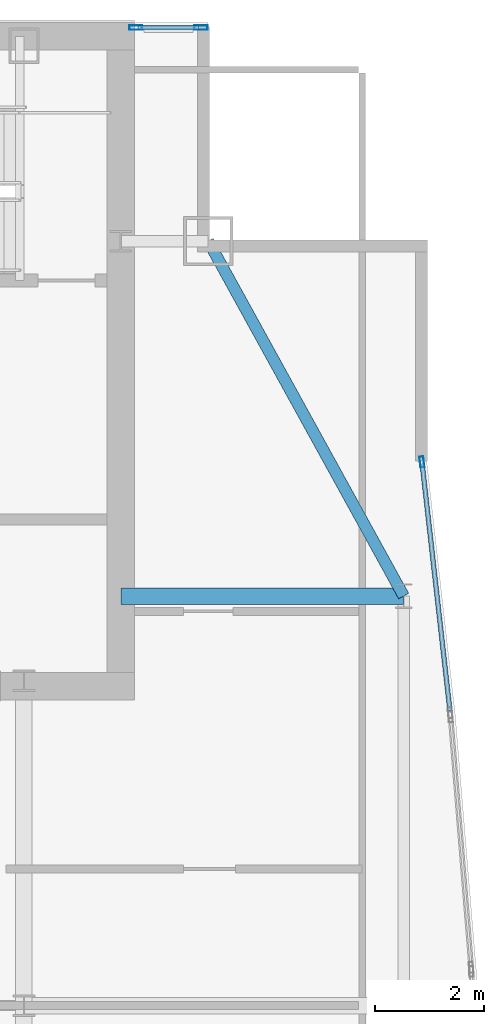
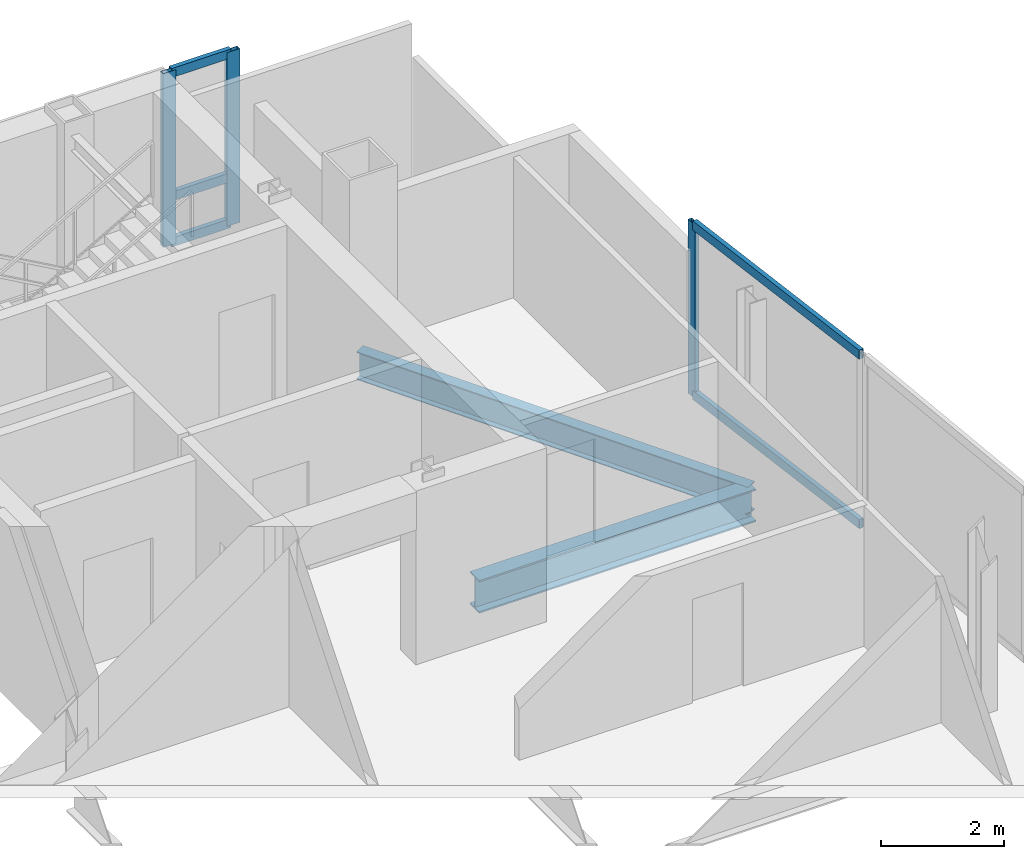
# One storey, part 18 of 25: 8 members, 2 beams, 2 elements without a shape of their own.
"""IFC4 building model written with IfcOpenShell, lengths in metres."""

from ifc_helpers import new_model, si_unit, direction, frame, origin, origin_2d, place, context, subcontext, project, spatial, hollow_rectangle, i_section, extrude, material, material_profile, profile_set, type_object, element, aggregate, save


model = new_model("IFC4")

# Units and contexts
model_context = context("Model", 3, precision=1e-05, world=origin(), true_north=direction((0.0, 1.0)))
body_context = subcontext(model_context, "Body", "Model", "MODEL_VIEW")
ifc_project = project(units=[si_unit("LENGTHUNIT", "METRE"), si_unit("AREAUNIT", "SQUARE_METRE"), si_unit("VOLUMEUNIT", "CUBIC_METRE"), si_unit("PLANEANGLEUNIT", "RADIAN"), si_unit("MASSUNIT", "GRAM", prefix="KILO")], contexts=[model_context])

# Site, building, storey
site_placement = place(None, origin())
site = spatial("IfcSite", under=ifc_project, at=site_placement, CompositionType="ELEMENT")
building_placement = place(site_placement, origin())
building = spatial("IfcBuilding", under=site, at=building_placement, Name="Khoronbel Lancet Exchange", CompositionType="ELEMENT")
storey_placement = place(building_placement, frame((0.0, 0.0, 295.0)))
storey = spatial("IfcBuildingStorey", under=building, at=storey_placement, Name="L76", CompositionType="ELEMENT", Elevation=295.0)

# Beams
ifc_material_1 = material(Name="Steel S355", Category="steel")
ifc_material_profile_1 = material_profile(ifc_material_1, i_section(OverallWidth=0.300048828125, OverallDepth=0.64990234375, WebThickness=0.01611328125, FlangeThickness=0.031005859375, at=origin_2d()), Name="HEB 650")
ifc_profile_set_1 = profile_set([ifc_material_profile_1], Name="Steel S355")
beam_type_1 = type_object("IfcBeamType", Name="BM-BG4", PredefinedType="BEAM", material=ifc_profile_set_1)
beam_1_placement = place(storey_placement, frame((56.449951171875, 43.199951171875, -0.485107421875), z_axis=(1.0, 0.0, 0.0), x_axis=(0.0, 1.0, 0.0)))
element("IfcBeam", 1, at=beam_1_placement, inside=storey, type_object=beam_type_1, Name="Level L76 east lens tie girder LG3E", PredefinedType="BEAM", context=body_context, shape_type="SweptSolid", body=[
    extrude(i_section(OverallWidth=0.300048828125, OverallDepth=0.64990234375, WebThickness=0.01611328125, FlangeThickness=0.031005859375, at=origin_2d()), origin(), (0.0, 0.0, 1.0), 5.179931640625),
])
ifc_material_profile_2 = material_profile(ifc_material_1, i_section(OverallWidth=0.2099609375, OverallDepth=0.550048828125, WebThickness=0.010986328125, FlangeThickness=0.01708984375, at=origin_2d()), Name="IPE 550")
ifc_profile_set_2 = profile_set([ifc_material_profile_2], Name="Steel S355")
beam_type_2 = type_object("IfcBeamType", Name="BM-BSP3", PredefinedType="SPANDREL", material=ifc_profile_set_2)
beam_2_placement = place(storey_placement, frame((61.6298828125, 43.199951171875, -0.43505859375), z_axis=(-0.482418808117, 0.875940690672, 0.0), x_axis=(-0.875940690672, -0.482418808117, 0.0)))
element("IfcBeam", 2, at=beam_2_placement, inside=storey, type_object=beam_type_2, Name="Level L76 perimeter spandrel beam SP15", PredefinedType="SPANDREL", context=body_context, shape_type="SweptSolid", body=[
    extrude(i_section(OverallWidth=0.2099609375, OverallDepth=0.550048828125, WebThickness=0.010986328125, FlangeThickness=0.01708984375, at=origin_2d()), origin(), (0.0, 0.0, 1.0), 7.420654296875),
])

# Curtain wall, members
ifc_material_2 = material(Name="Low-E Solar Control Insulating Glass", Category="glass")
curtain_wall_type_1 = type_object("IfcCurtainWallType", Name="CW-3", PredefinedType="NOTDEFINED", material=ifc_material_2)
curtain_wall_1_placement = place(storey_placement, origin())
curtain_wall_1 = element("IfcCurtainWall", 3, at=curtain_wall_1_placement, inside=storey, type_object=curtain_wall_type_1, Name="Unitised curtain wall CW-L76-NEFLK", PredefinedType="NOTDEFINED")
ifc_material_3 = material(Name="Bronze-Anodised Aluminium 6063-T6", Category="aluminium")
ifc_material_profile_3 = material_profile(ifc_material_3, hollow_rectangle(XDim=0.0849609375, YDim=0.239990234375, WallThickness=0.006103515625, at=origin_2d()), Name="ALU MULLION 85x240")
ifc_profile_set_3 = profile_set([ifc_material_profile_3], Name="Bronze-Anodised Aluminium 6063-T6")
member_type_1 = type_object("IfcMemberType", Name="MEM-CWM1", PredefinedType="MULLION", material=ifc_profile_set_3)
member_1_placement = place(storey_placement, frame((57.91748046875, 53.610107421875, 0.0), z_axis=(0.0, 0.0, 1.0), x_axis=(0.0, -1.0, 0.0)))
member_1 = element("IfcMember", 4, at=member_1_placement, type_object=member_type_1, Name="CW3 mullion 1", PredefinedType="MULLION", context=body_context, shape_type="SweptSolid", body=[
    extrude(hollow_rectangle(XDim=0.0849609375, YDim=0.239990234375, WallThickness=0.006103515625, at=origin_2d()), origin(), (0.0, 0.0, 1.0), 3.43994140625),
])
member_2_placement = place(storey_placement, frame((56.722412109375, 53.610107421875, 0.0), z_axis=(0.0, 0.0, 1.0), x_axis=(0.0, -1.0, 0.0)))
member_2 = element("IfcMember", 5, at=member_2_placement, type_object=member_type_1, Name="CW3 mullion 2", PredefinedType="MULLION", context=body_context, shape_type="SweptSolid", body=[
    extrude(hollow_rectangle(XDim=0.0849609375, YDim=0.239990234375, WallThickness=0.006103515625, at=origin_2d()), origin(), (0.0, 0.0, 1.0), 3.43994140625),
])

# Curtain wall, member
curtain_wall_type_2 = type_object("IfcCurtainWallType", Name="CW-4", PredefinedType="NOTDEFINED", material=ifc_material_2)
curtain_wall_2_placement = place(storey_placement, origin())
curtain_wall_2 = element("IfcCurtainWall", 6, at=curtain_wall_2_placement, inside=storey, type_object=curtain_wall_type_2, Name="Unitised curtain wall CW-L76-E17", PredefinedType="NOTDEFINED")
ifc_material_profile_4 = material_profile(ifc_material_3, hollow_rectangle(XDim=0.074951171875, YDim=0.199951171875, WallThickness=0.0048828125, at=origin_2d()), Name="ALU MULLION 75x200")
ifc_profile_set_4 = profile_set([ifc_material_profile_4], Name="Bronze-Anodised Aluminium 6063-T6")
member_type_2 = type_object("IfcMemberType", Name="MEM-CWM2", PredefinedType="MULLION", material=ifc_profile_set_4)
member_3_placement = place(storey_placement, frame((61.964111328125, 45.65771484375, 0.0), z_axis=(0.0, 0.0, 1.0), x_axis=(0.993731788903, 0.111790570813, 0.0)))
member_3 = element("IfcMember", 7, at=member_3_placement, type_object=member_type_2, Name="CW4 mullion 1", PredefinedType="MULLION", context=body_context, shape_type="SweptSolid", body=[
    extrude(hollow_rectangle(XDim=0.074951171875, YDim=0.199951171875, WallThickness=0.0048828125, at=origin_2d()), origin(), (0.0, 0.0, 1.0), 3.43994140625),
])

# Member
ifc_material_profile_5 = material_profile(ifc_material_3, hollow_rectangle(XDim=0.0849609375, YDim=0.179931640625, WallThickness=0.0048828125, at=origin_2d()), Name="ALU TRANSOM 85x180")
ifc_profile_set_5 = profile_set([ifc_material_profile_5], Name="Bronze-Anodised Aluminium 6063-T6")
member_type_3 = type_object("IfcMemberType", Name="MEM-CWT1", PredefinedType="USERDEFINED", material=ifc_profile_set_5)
member_4_placement = place(storey_placement, frame((57.875, 53.610107421875, 0.04248046875), z_axis=(-1.0, 0.0, 0.0), x_axis=(0.0, -1.0, 0.0)))
member_4 = element("IfcMember", 8, at=member_4_placement, type_object=member_type_3, Name="CW3 transom 1.1", ObjectType="TRANSOM", PredefinedType="USERDEFINED", context=body_context, shape_type="SweptSolid", body=[
    extrude(hollow_rectangle(XDim=0.0849609375, YDim=0.179931640625, WallThickness=0.0048828125, at=origin_2d()), origin(), (0.0, 0.0, 1.0), 1.110107421875),
])

member_5_placement = place(storey_placement, frame((57.875, 53.610107421875, 0.949951171875), z_axis=(-1.0, 0.0, 0.0), x_axis=(0.0, -1.0, 0.0)))
member_5 = element("IfcMember", 9, at=member_5_placement, type_object=member_type_3, Name="CW3 transom 1.2", ObjectType="TRANSOM", PredefinedType="USERDEFINED", context=body_context, shape_type="SweptSolid", body=[
    extrude(hollow_rectangle(XDim=0.0849609375, YDim=0.179931640625, WallThickness=0.0048828125, at=origin_2d()), origin(), (0.0, 0.0, 1.0), 1.110107421875),
])

member_6_placement = place(storey_placement, frame((57.875, 53.610107421875, 3.3974609375), z_axis=(-1.0, 0.0, 0.0), x_axis=(0.0, -1.0, 0.0)))
member_6 = element("IfcMember", 10, at=member_6_placement, type_object=member_type_3, Name="CW3 transom 1.3", ObjectType="TRANSOM", PredefinedType="USERDEFINED", context=body_context, shape_type="SweptSolid", body=[
    extrude(hollow_rectangle(XDim=0.0849609375, YDim=0.179931640625, WallThickness=0.0048828125, at=origin_2d()), origin(), (0.0, 0.0, 1.0), 1.110107421875),
])

aggregate(curtain_wall_1, [member_1, member_2, member_4, member_5, member_6])

member_7_placement = place(storey_placement, frame((61.968505859375, 45.620361328125, 0.04248046875), z_axis=(0.111774239585, -0.993733625961, 0.0), x_axis=(0.993733625961, 0.111774239585, 0.0)))
member_7 = element("IfcMember", 11, at=member_7_placement, type_object=member_type_3, Name="CW4 transom 1.1", ObjectType="TRANSOM", PredefinedType="USERDEFINED", context=body_context, shape_type="SweptSolid", body=[
    extrude(hollow_rectangle(XDim=0.0849609375, YDim=0.179931640625, WallThickness=0.0048828125, at=origin_2d()), origin(), (0.0, 0.0, 1.0), 4.5498046875),
])

member_8_placement = place(storey_placement, frame((61.968505859375, 45.620361328125, 3.3974609375), z_axis=(0.111774239585, -0.993733625961, 0.0), x_axis=(0.993733625961, 0.111774239585, 0.0)))
member_8 = element("IfcMember", 12, at=member_8_placement, type_object=member_type_3, Name="CW4 transom 1.2", ObjectType="TRANSOM", PredefinedType="USERDEFINED", context=body_context, shape_type="SweptSolid", body=[
    extrude(hollow_rectangle(XDim=0.0849609375, YDim=0.179931640625, WallThickness=0.0048828125, at=origin_2d()), origin(), (0.0, 0.0, 1.0), 4.5498046875),
])

aggregate(curtain_wall_2, [member_3, member_7, member_8])

save(model, "model.ifc")
